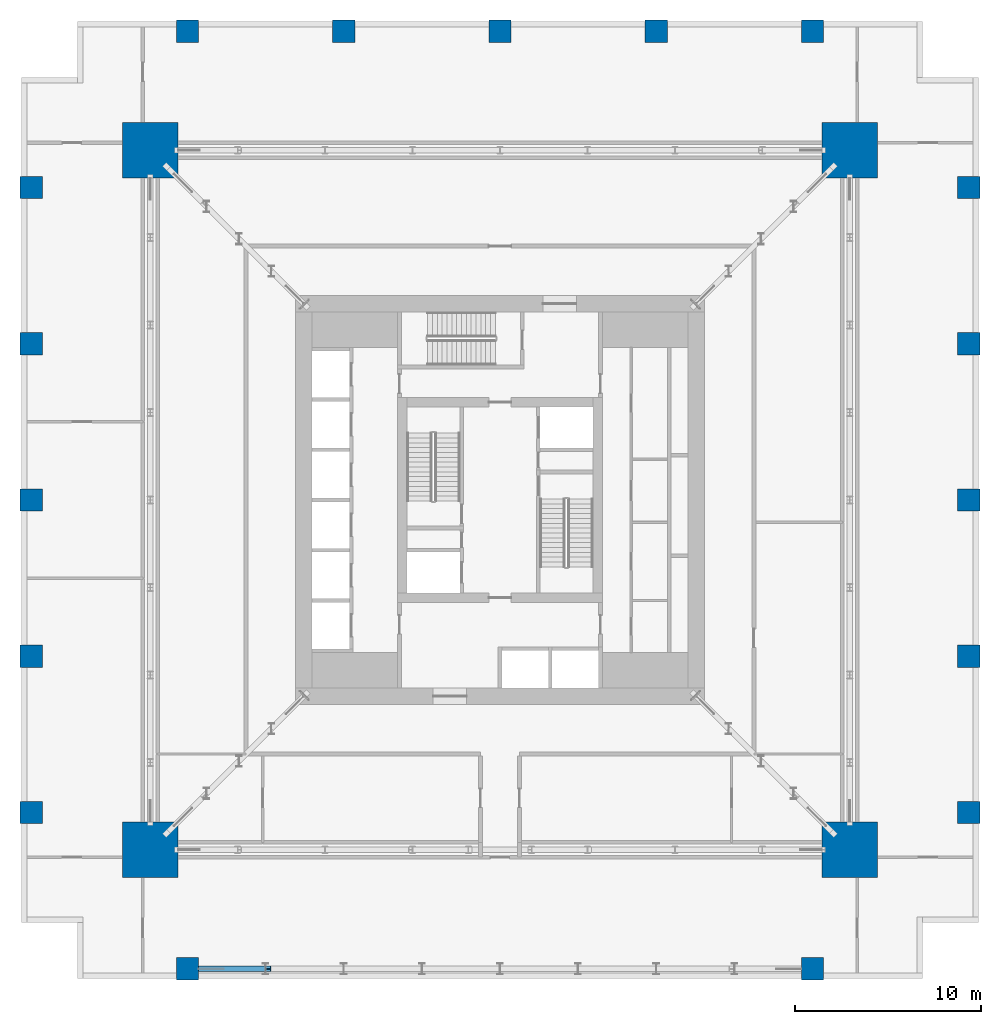
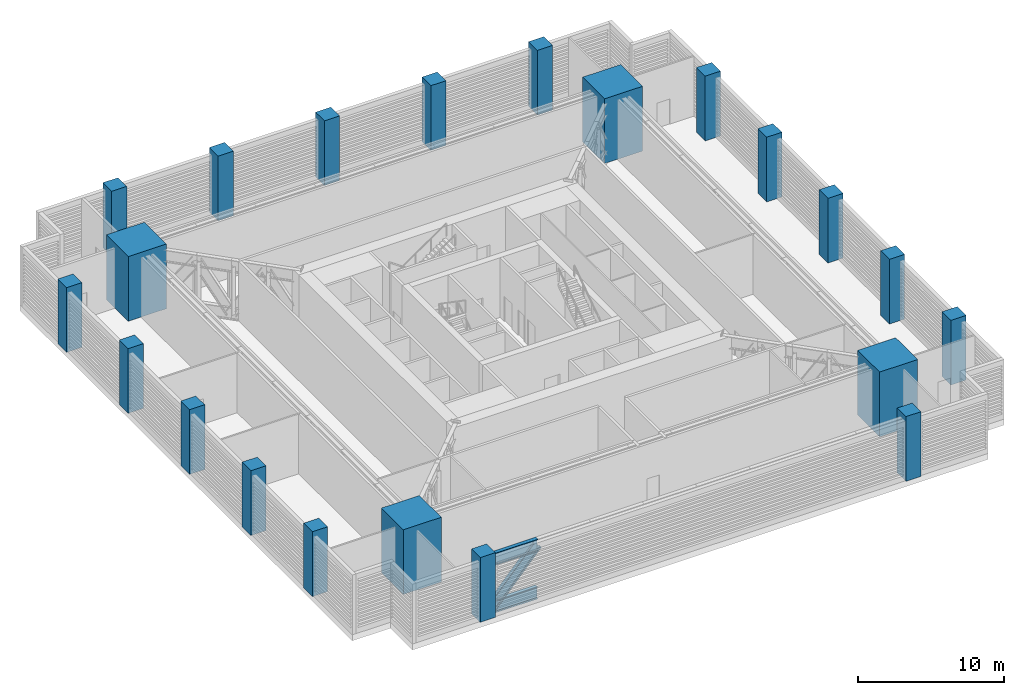
# One storey, part 1 of 17: 21 columns, 3 members.
"""IFC4 building model written with IfcOpenShell, lengths in metres."""

from ifc_helpers import new_model, si_unit, direction, frame, origin, origin_2d, place, context, subcontext, project, spatial, rectangle, i_section, extrude, material, material_profile, profile_set, type_object, element, save


model = new_model("IFC4")

# Units and contexts
model_context = context("Model", 3, precision=1e-05, world=origin(), true_north=direction((0.0, 1.0)))
body_context = subcontext(model_context, "Body", "Model", "MODEL_VIEW")
ifc_project = project(units=[si_unit("LENGTHUNIT", "METRE"), si_unit("AREAUNIT", "SQUARE_METRE"), si_unit("VOLUMEUNIT", "CUBIC_METRE"), si_unit("PLANEANGLEUNIT", "RADIAN"), si_unit("MASSUNIT", "GRAM", prefix="KILO")], contexts=[model_context])

# Site, building, storey
site_placement = place(None, origin())
site = spatial("IfcSite", under=ifc_project, at=site_placement, CompositionType="ELEMENT")
building_placement = place(site_placement, origin())
building = spatial("IfcBuilding", under=site, at=building_placement, Name="Khepri Terraces", CompositionType="ELEMENT")
storey_placement = place(building_placement, frame((0.0, 0.0, 73.800048828125)))
storey = spatial("IfcBuildingStorey", under=building, at=storey_placement, Name="L17", CompositionType="ELEMENT", Elevation=73.800048828125)

# Columns
ifc_material_1 = material(Name="Concrete C80/95", Category="concrete")
ifc_material_profile_1 = material_profile(ifc_material_1, rectangle(XDim=3.0, YDim=3.0, at=origin_2d()), Name="Concrete C80/95", Category="concrete")
ifc_profile_set_1 = profile_set([ifc_material_profile_1], Name="Concrete C80/95")
column_type_1 = type_object("IfcColumnType", Name="Mega column RC 3000x3000 C80/95", PredefinedType="COLUMN", material=ifc_profile_set_1)
for number, where, z_axis, x_axis, name in (
    (1, (18.800048828125, 18.800048828125, 0.0), (0.0, 0.0, 1.0), (1.0, 0.0, 0.0), "Mega column MEN L17"),
    (2, (18.800048828125, -18.800048828125, 0.0), (0.0, 0.0, 1.0), (1.0, 0.0, 0.0), "Mega column MES L17"),
    (3, (-18.800048828125, 18.800048828125, 0.0), (0.0, 0.0, 1.0), (1.0, 0.0, 0.0), "Mega column MWN L17"),
    (4, (-18.800048828125, -18.800048828125, 0.0), (0.0, 0.0, 1.0), (1.0, 0.0, 0.0), "Mega column MWS L17"),
):
    element("IfcColumn", number, at=place(storey_placement, frame(where, z_axis=z_axis, x_axis=x_axis)), inside=storey, type_object=column_type_1, Name=name, PredefinedType="COLUMN", context=body_context, shape_type="SweptSolid", body=[
        extrude(rectangle(XDim=3.0, YDim=3.0, at=origin_2d()), origin(), (0.0, 0.0, 1.0), 5.39990234375),
    ])
ifc_material_profile_2 = material_profile(ifc_material_1, rectangle(XDim=1.199951171875, YDim=1.199951171875, at=origin_2d()), Name="Concrete C80/95", Category="concrete")
ifc_profile_set_2 = profile_set([ifc_material_profile_2], Name="Concrete C80/95")
column_type_2 = type_object("IfcColumnType", Name="Tower column RC 1200x1200 C80/95", PredefinedType="COLUMN", material=ifc_profile_set_2)
for number, where, z_axis, x_axis, name in (
    (5, (25.199951171875, 0.0, 0.0), (0.0, 0.0, 1.0), (1.0, 0.0, 0.0), "Perimeter column PE+000a L17"),
    (6, (25.199951171875, 8.39990234375, 0.0), (0.0, 0.0, 1.0), (1.0, 0.0, 0.0), "Perimeter column PE+084a L17"),
    (7, (25.199951171875, 16.800048828125, 0.0), (0.0, 0.0, 1.0), (1.0, 0.0, 0.0), "Perimeter column PE+168a L17"),
    (8, (25.199951171875, -8.39990234375, 0.0), (0.0, 0.0, 1.0), (1.0, 0.0, 0.0), "Perimeter column PE-084a L17"),
    (9, (25.199951171875, -16.800048828125, 0.0), (0.0, 0.0, 1.0), (1.0, 0.0, 0.0), "Perimeter column PE-168a L17"),
    (10, (0.0, 25.199951171875, 0.0), (0.0, 0.0, 1.0), (1.0, 0.0, 0.0), "Perimeter column PN+000a L17"),
    (11, (-8.39990234375, 25.199951171875, 0.0), (0.0, 0.0, 1.0), (1.0, 0.0, 0.0), "Perimeter column PN+084a L17"),
    (12, (-16.800048828125, 25.199951171875, 0.0), (0.0, 0.0, 1.0), (1.0, 0.0, 0.0), "Perimeter column PN+168a L17"),
    (13, (8.39990234375, 25.199951171875, 0.0), (0.0, 0.0, 1.0), (1.0, 0.0, 0.0), "Perimeter column PN-084a L17"),
    (14, (16.800048828125, 25.199951171875, 0.0), (0.0, 0.0, 1.0), (1.0, 0.0, 0.0), "Perimeter column PN-168a L17"),
    (15, (16.800048828125, -25.199951171875, 0.0), (0.0, 0.0, 1.0), (1.0, 0.0, 0.0), "Perimeter column PS+168a L17"),
    (16, (-16.800048828125, -25.199951171875, 0.0), (0.0, 0.0, 1.0), (1.0, 0.0, 0.0), "Perimeter column PS-168a L17"),
    (17, (-25.199951171875, 0.0, 0.0), (0.0, 0.0, 1.0), (1.0, 0.0, 0.0), "Perimeter column PW+000a L17"),
    (18, (-25.199951171875, -8.39990234375, 0.0), (0.0, 0.0, 1.0), (1.0, 0.0, 0.0), "Perimeter column PW+084a L17"),
    (19, (-25.199951171875, -16.800048828125, 0.0), (0.0, 0.0, 1.0), (1.0, 0.0, 0.0), "Perimeter column PW+168a L17"),
    (20, (-25.199951171875, 8.39990234375, 0.0), (0.0, 0.0, 1.0), (1.0, 0.0, 0.0), "Perimeter column PW-084a L17"),
    (21, (-25.199951171875, 16.800048828125, 0.0), (0.0, 0.0, 1.0), (1.0, 0.0, 0.0), "Perimeter column PW-168a L17"),
):
    element("IfcColumn", number, at=place(storey_placement, frame(where, z_axis=z_axis, x_axis=x_axis)), inside=storey, type_object=column_type_2, Name=name, PredefinedType="COLUMN", context=body_context, shape_type="SweptSolid", body=[
        extrude(rectangle(XDim=1.199951171875, YDim=1.199951171875, at=origin_2d()), origin(), (0.0, 0.0, 1.0), 5.39990234375),
    ])

# Members
ifc_material_2 = material(Name="Steel S355", Category="steel")
ifc_material_profile_3 = material_profile(ifc_material_2, i_section(OverallWidth=0.302001953125, OverallDepth=1.008056640625, WebThickness=0.02099609375, FlangeThickness=0.0400390625, FilletRadius=0.030029296875, at=origin_2d()), Name="Steel S355", Category="steel")
ifc_profile_set_3 = profile_set([ifc_material_profile_3], Name="Steel S355")
member_type_1 = type_object("IfcMemberType", Name="Transfer truss chord HEM 1000", PredefinedType="CHORD", material=ifc_profile_set_3)
for number, where, z_axis, x_axis, name in (
    (22, (-16.199951171875, -25.199951171875, 0.50390625), (1.0, 0.0, 0.0), (0.0, 1.0, 0.0), "Transfer truss chord TT-17-S bottom 1"),
    (23, (-16.199951171875, -25.199951171875, 4.475830078125), (1.0, 0.0, 0.0), (0.0, 1.0, 0.0), "Transfer truss chord TT-17-S top 1"),
):
    element("IfcMember", number, at=place(storey_placement, frame(where, z_axis=z_axis, x_axis=x_axis)), inside=storey, type_object=member_type_1, Name=name, PredefinedType="CHORD", context=body_context, shape_type="SweptSolid", body=[
        extrude(i_section(OverallWidth=0.302001953125, OverallDepth=1.008056640625, WebThickness=0.02099609375, FlangeThickness=0.0400390625, FilletRadius=0.030029296875, at=origin_2d()), origin(), (0.0, 0.0, 1.0), 3.599853515625),
    ])
ifc_material_profile_4 = material_profile(ifc_material_2, i_section(OverallWidth=0.300048828125, OverallDepth=0.800048828125, WebThickness=0.017578125, FlangeThickness=0.032958984375, FilletRadius=0.030029296875, at=origin_2d()), Name="Steel S355", Category="steel")
ifc_profile_set_4 = profile_set([ifc_material_profile_4], Name="Steel S355")
member_type_2 = type_object("IfcMemberType", Name="Transfer truss diagonal HEB 800", PredefinedType="BRACE", material=ifc_profile_set_4)
member_placement = place(storey_placement, frame((-16.199951171875, -25.199951171875, 0.50390625), z_axis=(0.671549900964, 0.0, 0.740959331216), x_axis=(0.0, 1.0, 0.0)))
element("IfcMember", 24, at=member_placement, inside=storey, type_object=member_type_2, Name="Transfer truss diagonal TT-17-S 1", PredefinedType="BRACE", context=body_context, shape_type="SweptSolid", body=[
    extrude(i_section(OverallWidth=0.300048828125, OverallDepth=0.800048828125, WebThickness=0.017578125, FlangeThickness=0.032958984375, FilletRadius=0.030029296875, at=origin_2d()), origin(), (0.0, 0.0, 1.0), 5.360595703125),
])

save(model, "model.ifc")
